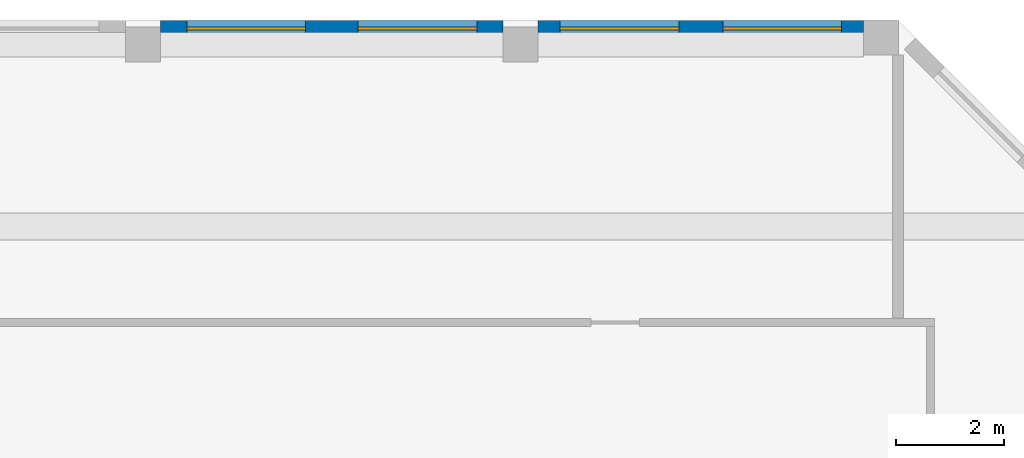
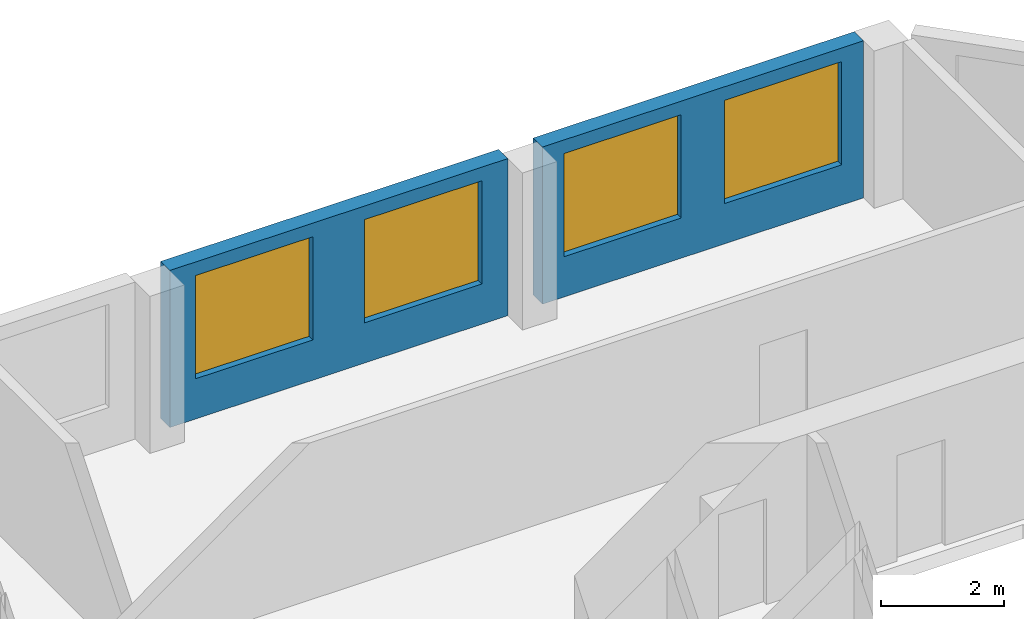
# One storey, part 9 of 18: 4 windows, 2 walls, 4 openings.
"""IFC4 building model written with IfcOpenShell, lengths in metres."""

from ifc_helpers import new_model, si_unit, direction, frame, frame_2d, origin, place, context, subcontext, project, spatial, rectangle, extrude, source, transform, mapped, material, layer, layer_set, type_object, element, fill, save


model = new_model("IFC4")

# Units and contexts
model_context = context("Model", 3, precision=1e-05, world=origin(), true_north=direction((0.0, 1.0)))
body_context = subcontext(model_context, "Body", "Model", "MODEL_VIEW")
ifc_project = project(units=[si_unit("LENGTHUNIT", "METRE"), si_unit("AREAUNIT", "SQUARE_METRE"), si_unit("VOLUMEUNIT", "CUBIC_METRE"), si_unit("PLANEANGLEUNIT", "RADIAN"), si_unit("MASSUNIT", "GRAM", prefix="KILO")], contexts=[model_context])

# Site, building, storey
site_placement = place(None, origin())
site = spatial("IfcSite", under=ifc_project, at=site_placement, CompositionType="ELEMENT")
building_placement = place(site_placement, origin())
building = spatial("IfcBuilding", under=site, at=building_placement, Name="Kilnfold Tower and Market Hall", CompositionType="ELEMENT")
storey_placement = place(building_placement, frame((0.0, 0.0, 280.60009765625)))
storey = spatial("IfcBuildingStorey", under=building, at=storey_placement, Name="L69", CompositionType="ELEMENT", Elevation=280.60009765625)

# Wall, openings, windows
ifc_material_1 = material(Name="Precast concrete C50/60", Category="concrete")
ifc_layer = layer(ifc_material_1, 0.300048828125)
ifc_layer_set = layer_set([ifc_layer], Name="Precast concrete C50/60")
wall_type = type_object("IfcWallType", Name="PRECAST WALL 300", PredefinedType="SOLIDWALL", material=ifc_layer_set)
shared_shape_1 = source(origin(), body_context, "Body", "SweptSolid", [
    extrude(rectangle(XDim=6.35009765625, YDim=0.300048828125, at=frame_2d((3.175048828125, 0.0))), origin(), (0.0, 0.0, 1.0), 3.119873046875),
])
wall_1_placement = place(storey_placement, frame((12.675048828125, 30.35009765625, 0.0), z_axis=(0.0, 0.0, 1.0), x_axis=(-1.0, 0.0, 0.0)))
wall_1 = element("IfcWall", 1, at=wall_1_placement, inside=storey, type_object=wall_type, Name="External wall L69 N", PredefinedType="SOLIDWALL", context=body_context, shape_type="MappedRepresentation", body=[
    mapped(shared_shape_1, transform((0.0, 0.0, 0.0))),
])
opening_1_placement = place(wall_1_placement, frame((0.487548828125, 0.0, 0.800048828125)))
opening_1 = element("IfcOpeningElement", 2, at=opening_1_placement, cuts=wall_1, Name="Opening W3", PredefinedType="OPENING", context=body_context, shape_type="SweptSolid", body=[
    extrude(rectangle(XDim=2.199951171875, YDim=2.050048828125, at=frame_2d((1.10009765625, 1.02490234375))), frame((0.0, 0.16015625, 0.0), z_axis=(0.0, -1.0, 0.0), x_axis=(1.0, 0.0, 0.0)), (0.0, 0.0, 1.0), 0.320068359375),
])
opening_2_placement = place(wall_1_placement, frame((3.66259765625, 0.0, 0.800048828125)))
opening_2 = element("IfcOpeningElement", 3, at=opening_2_placement, cuts=wall_1, Name="Opening W3", PredefinedType="OPENING", context=body_context, shape_type="SweptSolid", body=[
    extrude(rectangle(XDim=2.199951171875, YDim=2.050048828125, at=frame_2d((1.10009765625, 1.02490234375))), frame((0.0, 0.16015625, 0.0), z_axis=(0.0, -1.0, 0.0), x_axis=(1.0, 0.0, 0.0)), (0.0, 0.0, 1.0), 0.320068359375),
])
ifc_material_2 = material(Name="Aluminium frame and double glazing", Category="aluminium")
window_type = type_object("IfcWindowType", Name="WINDOW W3 2200X2050", PartitioningType="SINGLE_PANEL", PredefinedType="WINDOW", material=ifc_material_2)
window_1_placement = place(opening_1_placement, origin())
window_1 = element("IfcWindow", 4, at=window_1_placement, inside=storey, type_object=window_type, Name="Window W3 L69 N-1", OverallHeight=2.050048828125, OverallWidth=2.199951171875, PartitioningType="SINGLE_PANEL", PredefinedType="WINDOW", context=body_context, shape_type="SweptSolid", body=[
    extrude(rectangle(XDim=2.199951171875, YDim=2.050048828125, at=frame_2d((1.10009765625, 1.02490234375))), frame((0.0, 0.030029296875, 0.0), z_axis=(0.0, -1.0, 0.0), x_axis=(1.0, 0.0, 0.0)), (0.0, 0.0, 1.0), 0.06005859375),
])
fill(opening_1, window_1)
window_2_placement = place(opening_2_placement, origin())
window_2 = element("IfcWindow", 5, at=window_2_placement, inside=storey, type_object=window_type, Name="Window W3 L69 N-2", OverallHeight=2.050048828125, OverallWidth=2.199951171875, PartitioningType="SINGLE_PANEL", PredefinedType="WINDOW", context=body_context, shape_type="SweptSolid", body=[
    extrude(rectangle(XDim=2.199951171875, YDim=2.050048828125, at=frame_2d((1.10009765625, 1.02490234375))), frame((0.0, 0.030029296875, 0.0), z_axis=(0.0, -1.0, 0.0), x_axis=(1.0, 0.0, 0.0)), (0.0, 0.0, 1.0), 0.06005859375),
])
fill(opening_2, window_2)

shared_shape_2 = source(origin(), body_context, "Body", "SweptSolid", [
    extrude(rectangle(XDim=6.03173828125, YDim=0.300048828125, at=frame_2d((3.015869140625, 0.0))), origin(), (0.0, 0.0, 1.0), 3.119873046875),
])
wall_2_placement = place(storey_placement, frame((19.356689453125, 30.35009765625, 0.0), z_axis=(0.0, 0.0, 1.0), x_axis=(-1.0, 0.0, 0.0)))
wall_2 = element("IfcWall", 6, at=wall_2_placement, inside=storey, type_object=wall_type, Name="External wall L69 N", PredefinedType="SOLIDWALL", context=body_context, shape_type="MappedRepresentation", body=[
    mapped(shared_shape_2, transform((0.0, 0.0, 0.0))),
])
opening_3_placement = place(wall_2_placement, frame((0.407958984375, 0.0, 0.800048828125)))
opening_3 = element("IfcOpeningElement", 7, at=opening_3_placement, cuts=wall_2, Name="Opening W3", PredefinedType="OPENING", context=body_context, shape_type="SweptSolid", body=[
    extrude(rectangle(XDim=2.199951171875, YDim=2.050048828125, at=frame_2d((1.10009765625, 1.02490234375))), frame((0.0, 0.16015625, 0.0), z_axis=(0.0, -1.0, 0.0), x_axis=(1.0, 0.0, 0.0)), (0.0, 0.0, 1.0), 0.320068359375),
])
opening_4_placement = place(wall_2_placement, frame((3.423828125, 0.0, 0.800048828125)))
opening_4 = element("IfcOpeningElement", 8, at=opening_4_placement, cuts=wall_2, Name="Opening W3", PredefinedType="OPENING", context=body_context, shape_type="SweptSolid", body=[
    extrude(rectangle(XDim=2.199951171875, YDim=2.050048828125, at=frame_2d((1.10009765625, 1.02490234375))), frame((0.0, 0.16015625, 0.0), z_axis=(0.0, -1.0, 0.0), x_axis=(1.0, 0.0, 0.0)), (0.0, 0.0, 1.0), 0.320068359375),
])
window_3_placement = place(opening_3_placement, origin())
window_3 = element("IfcWindow", 9, at=window_3_placement, inside=storey, type_object=window_type, Name="Window W3 L69 N-1", OverallHeight=2.050048828125, OverallWidth=2.199951171875, PartitioningType="SINGLE_PANEL", PredefinedType="WINDOW", context=body_context, shape_type="SweptSolid", body=[
    extrude(rectangle(XDim=2.199951171875, YDim=2.050048828125, at=frame_2d((1.10009765625, 1.02490234375))), frame((0.0, 0.030029296875, 0.0), z_axis=(0.0, -1.0, 0.0), x_axis=(1.0, 0.0, 0.0)), (0.0, 0.0, 1.0), 0.06005859375),
])
fill(opening_3, window_3)
window_4_placement = place(opening_4_placement, origin())
window_4 = element("IfcWindow", 10, at=window_4_placement, inside=storey, type_object=window_type, Name="Window W3 L69 N-2", OverallHeight=2.050048828125, OverallWidth=2.199951171875, PartitioningType="SINGLE_PANEL", PredefinedType="WINDOW", context=body_context, shape_type="SweptSolid", body=[
    extrude(rectangle(XDim=2.199951171875, YDim=2.050048828125, at=frame_2d((1.10009765625, 1.02490234375))), frame((0.0, 0.030029296875, 0.0), z_axis=(0.0, -1.0, 0.0), x_axis=(1.0, 0.0, 0.0)), (0.0, 0.0, 1.0), 0.06005859375),
])
fill(opening_4, window_4)

save(model, "model.ifc")
